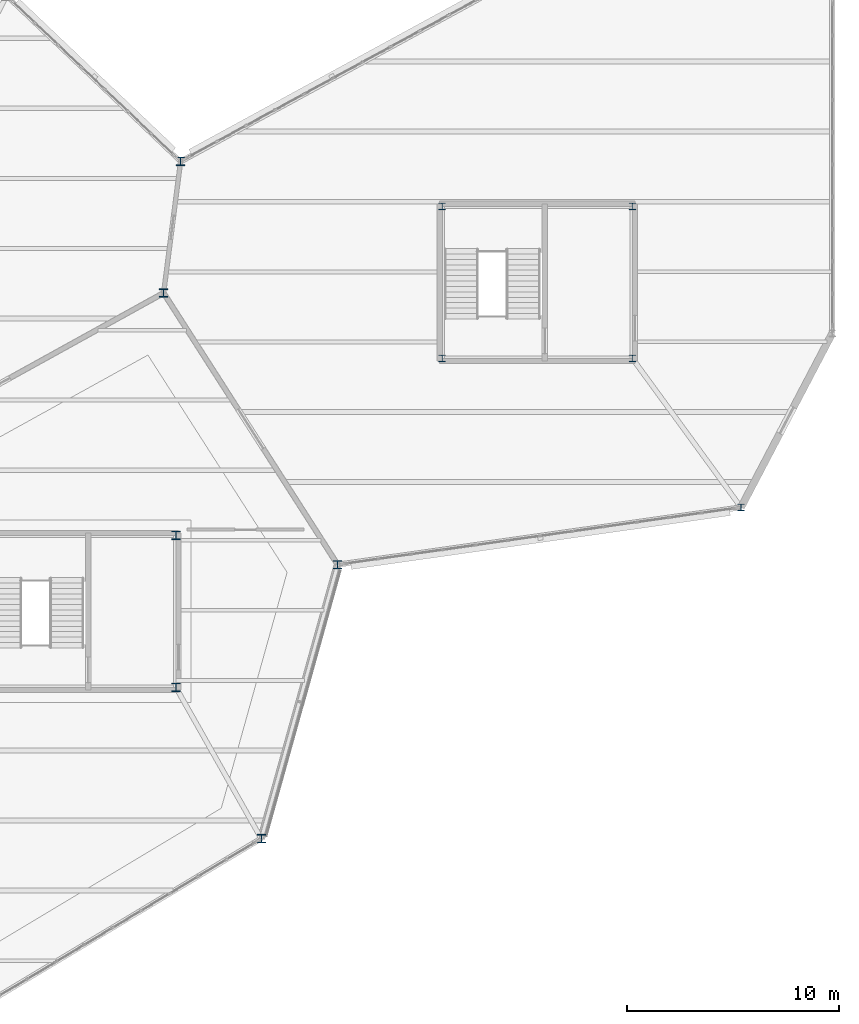
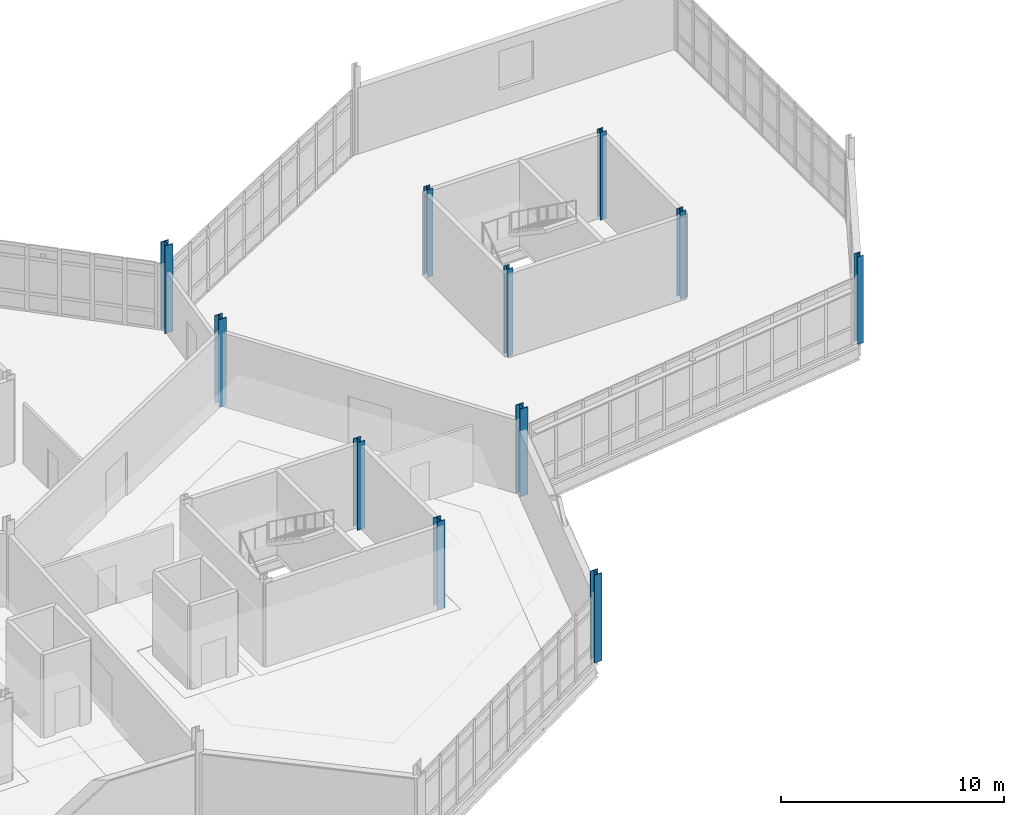
# One storey, part 22 of 134: 11 columns.
"""IFC4 building model written with IfcOpenShell, lengths in metres."""

from ifc_helpers import new_model, si_unit, direction, frame, origin, origin_2d, place, context, subcontext, project, spatial, i_section, extrude, material, material_profile, profile_set, type_object, element, save


model = new_model("IFC4")

# Units and contexts
model_context = context("Model", 3, precision=1e-05, world=origin(), true_north=direction((0.0, 1.0)))
body_context = subcontext(model_context, "Body", "Model", "MODEL_VIEW")
ifc_project = project(units=[si_unit("LENGTHUNIT", "METRE"), si_unit("AREAUNIT", "SQUARE_METRE"), si_unit("VOLUMEUNIT", "CUBIC_METRE"), si_unit("PLANEANGLEUNIT", "RADIAN"), si_unit("MASSUNIT", "GRAM", prefix="KILO")], contexts=[model_context])

# Site, building, storey
site_placement = place(None, origin())
site = spatial("IfcSite", under=ifc_project, at=site_placement, CompositionType="ELEMENT")
building_placement = place(site_placement, origin())
building = spatial("IfcBuilding", under=site, at=building_placement, Name="Tameran Prism Museum", CompositionType="ELEMENT")
storey_placement = place(building_placement, frame((0.0, 0.0, 5.39990234375)))
storey = spatial("IfcBuildingStorey", under=building, at=storey_placement, Name="L01", CompositionType="ELEMENT", Elevation=5.39990234375)

# Columns
ifc_material_1 = material(Name="Steel Grade 300PLUS (300 MPa)", Category="steel")
ifc_material_profile_1 = material_profile(ifc_material_1, i_section(OverallWidth=0.306884765625, OverallDepth=0.31494140625, WebThickness=0.011962890625, FlangeThickness=0.018798828125, FilletRadius=0.0166015625, at=origin_2d()))
ifc_profile_set_1 = profile_set([ifc_material_profile_1])
column_type_1 = type_object("IfcColumnType", Name="COL-UC310C", PredefinedType="COLUMN", material=ifc_profile_set_1)
for number, where, z_axis, x_axis, name in (
    (1, (162.10009765625, 87.89990234375, 0.0), (0.0, 0.0, 1.0), (1.0, 0.0, 0.0), "Column CV-67 L01"),
    (2, (148.02001953125, 94.919921875, 0.0), (0.0, 0.0, 1.0), (1.0, 0.0, 0.0), "Column CC-11-1 L01"),
    (3, (156.97998046875, 94.919921875, 0.0), (0.0, 0.0, 1.0), (1.0, 0.0, 0.0), "Column CC-11-2 L01"),
    (4, (156.97998046875, 102.080078125, 0.0), (0.0, 0.0, 1.0), (1.0, 0.0, 0.0), "Column CC-11-3 L01"),
    (5, (148.02001953125, 102.080078125, 0.0), (0.0, 0.0, 1.0), (1.0, 0.0, 0.0), "Column CC-11-4 L01"),
):
    element("IfcColumn", number, at=place(storey_placement, frame(where, z_axis=z_axis, x_axis=x_axis)), inside=storey, type_object=column_type_1, Name=name, PredefinedType="COLUMN", context=body_context, shape_type="SweptSolid", body=[
        extrude(i_section(OverallWidth=0.306884765625, OverallDepth=0.31494140625, WebThickness=0.011962890625, FlangeThickness=0.018798828125, FilletRadius=0.0166015625, at=origin_2d()), origin(), (0.0, 0.0, 1.0), 4.800048828125),
    ])
ifc_material_2 = material(Name="Steel Grade 350 (350 MPa)", Category="steel")
ifc_material_profile_2 = material_profile(ifc_material_2, i_section(OverallWidth=0.39990234375, OverallDepth=0.39990234375, WebThickness=0.02197265625, FlangeThickness=0.035888671875, at=origin_2d()))
ifc_profile_set_2 = profile_set([ifc_material_profile_2])
column_type_2 = type_object("IfcColumnType", Name="COL-WC400", PredefinedType="COLUMN", material=ifc_profile_set_2)
for number, where, z_axis, x_axis, name in (
    (6, (134.89990234375, 98.0, 0.0), (0.0, 0.0, 1.0), (1.0, 0.0, 0.0), "Column CV-54 L01"),
    (7, (135.699951171875, 104.199951171875, 0.0), (0.0, 0.0, 1.0), (1.0, 0.0, 0.0), "Column CV-55 L01"),
    (8, (139.5, 72.300048828125, 0.0), (0.0, 0.0, 1.0), (1.0, 0.0, 0.0), "Column CV-57 L01"),
    (9, (143.10009765625, 85.199951171875, 0.0), (0.0, 0.0, 1.0), (1.0, 0.0, 0.0), "Column CV-60 L01"),
    (10, (135.47998046875, 79.419921875, 0.0), (0.0, 0.0, 1.0), (1.0, 0.0, 0.0), "Column CC-2-2 L01"),
    (11, (135.47998046875, 86.580078125, 0.0), (0.0, 0.0, 1.0), (1.0, 0.0, 0.0), "Column CC-2-3 L01"),
):
    element("IfcColumn", number, at=place(storey_placement, frame(where, z_axis=z_axis, x_axis=x_axis)), inside=storey, type_object=column_type_2, Name=name, PredefinedType="COLUMN", context=body_context, shape_type="SweptSolid", body=[
        extrude(i_section(OverallWidth=0.39990234375, OverallDepth=0.39990234375, WebThickness=0.02197265625, FlangeThickness=0.035888671875, at=origin_2d()), origin(), (0.0, 0.0, 1.0), 4.800048828125),
    ])

save(model, "model.ifc")
